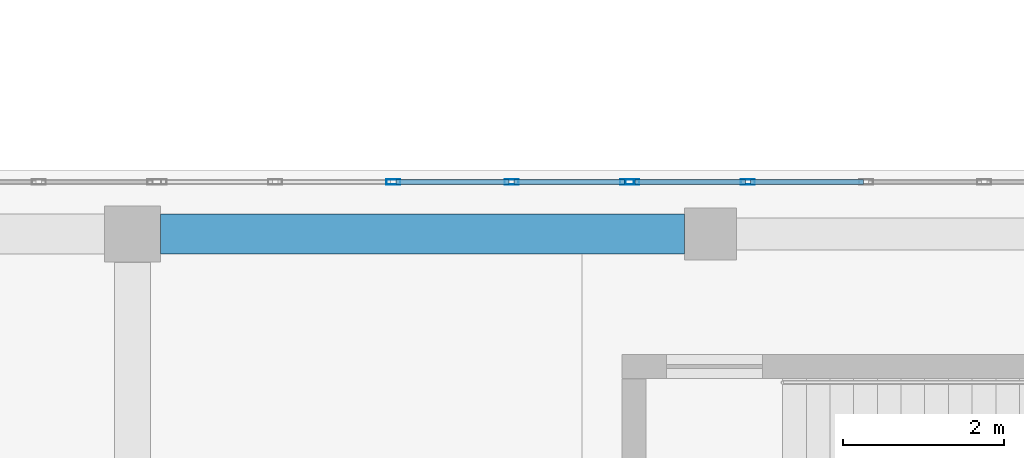
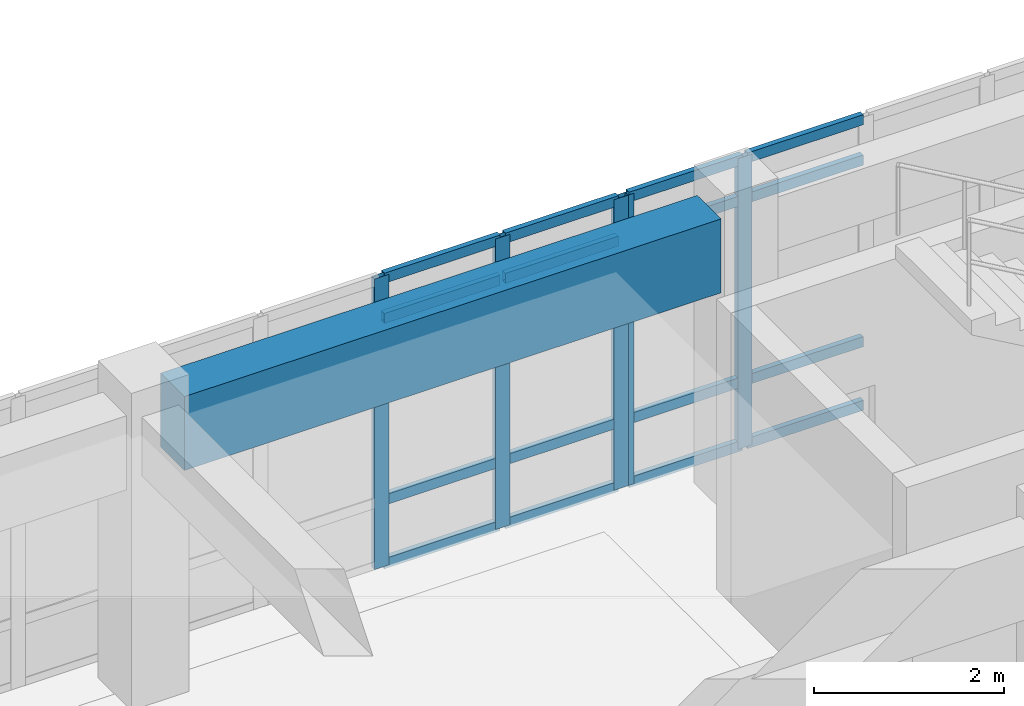
# One storey, part 24 of 146: 21 members, 1 beam, 2 elements without a shape of their own.
"""IFC4 building model written with IfcOpenShell, lengths in metres."""

from ifc_helpers import new_model, si_unit, direction, frame, origin, origin_2d, place, context, subcontext, project, spatial, rectangle, hollow_rectangle, extrude, material, layer, layer_set, material_profile, profile_set, type_object, element, aggregate, save


model = new_model("IFC4")

# Units and contexts
model_context = context("Model", 3, precision=1e-05, world=origin(), true_north=direction((0.0, 1.0)))
body_context = subcontext(model_context, "Body", "Model", "MODEL_VIEW")
ifc_project = project(units=[si_unit("LENGTHUNIT", "METRE"), si_unit("AREAUNIT", "SQUARE_METRE"), si_unit("VOLUMEUNIT", "CUBIC_METRE"), si_unit("PLANEANGLEUNIT", "RADIAN"), si_unit("MASSUNIT", "GRAM", prefix="KILO")], contexts=[model_context])

# Site, building, storey
site_placement = place(None, origin())
site = spatial("IfcSite", under=ifc_project, at=site_placement, CompositionType="ELEMENT")
building_placement = place(site_placement, origin())
building = spatial("IfcBuilding", under=site, at=building_placement, Name="Valcora Specialist Clinic", CompositionType="ELEMENT")
storey_placement = place(building_placement, frame((0.0, 0.0, 9.52001953125)))
storey = spatial("IfcBuildingStorey", under=building, at=storey_placement, Name="L02", CompositionType="ELEMENT", Elevation=9.52001953125)

# Beam
ifc_material_1 = material(Name="Concrete C40/50", Category="concrete")
ifc_material_profile_1 = material_profile(ifc_material_1, rectangle(XDim=0.5, YDim=0.949951171875, at=origin_2d()), Name="RC-BM-500X950")
ifc_profile_set_1 = profile_set([ifc_material_profile_1], Name="Concrete C40/50")
beam_type = type_object("IfcBeamType", Name="TY-BM-TR500X950", PredefinedType="BEAM", material=ifc_profile_set_1)
beam_placement = place(storey_placement, frame((23.75, 22.0, 3.260009765625), z_axis=(1.0, 0.0, 0.0), x_axis=(0.0, 1.0, 0.0)))
element("IfcBeam", 1, at=beam_placement, inside=storey, type_object=beam_type, Name="Beam BM-L02-1005", PredefinedType="BEAM", context=body_context, shape_type="SweptSolid", body=[
    extrude(rectangle(XDim=0.5, YDim=0.949951171875, at=origin_2d()), origin(), (0.0, 0.0, 1.0), 6.52490234375),
])

# Curtain wall, members
ifc_material_2 = material(Name="Anodized Bronze Aluminium 6063-T6", Category="aluminium")
ifc_layer = layer(ifc_material_2, 0.175048828125)
ifc_layer_set = layer_set([ifc_layer], Name="Anodized Bronze Aluminium 6063-T6")
curtain_wall_type = type_object("IfcCurtainWallType", Name="TY-CW-V5F15", PredefinedType="NOTDEFINED", material=ifc_layer_set)
curtain_wall_1_placement = place(storey_placement, origin())
curtain_wall_1 = element("IfcCurtainWall", 2, at=curtain_wall_1_placement, inside=storey, type_object=curtain_wall_type, Name="Curtain wall CW-L02-147", PredefinedType="NOTDEFINED")
ifc_material_profile_2 = material_profile(ifc_material_2, hollow_rectangle(XDim=0.06494140625, YDim=0.175048828125, WallThickness=0.00390625, at=origin_2d()), Name="AL-MUL-65X175")
ifc_profile_set_2 = profile_set([ifc_material_profile_2], Name="Anodized Bronze Aluminium 6063-T6")
member_type_1 = type_object("IfcMemberType", Name="TY-CWM-65X175", PredefinedType="MULLION", material=ifc_profile_set_2)
member_1_placement = place(storey_placement, frame((26.64990234375, 22.64990234375, 0.0), z_axis=(0.0, 0.0, 1.0), x_axis=(0.0, 1.0, 0.0)))
member_1 = element("IfcMember", 3, at=member_1_placement, type_object=member_type_1, Name="CW-V5F-15 mullion 3", PredefinedType="MULLION", context=body_context, shape_type="SweptSolid", body=[
    extrude(hollow_rectangle(XDim=0.06494140625, YDim=0.175048828125, WallThickness=0.00390625, at=origin_2d()), origin(), (0.0, 0.0, 1.0), 3.73486328125),
])
member_2_placement = place(storey_placement, frame((28.122314453125, 22.64990234375, 0.0), z_axis=(0.0, 0.0, 1.0), x_axis=(0.0, 1.0, 0.0)))
member_2 = element("IfcMember", 4, at=member_2_placement, type_object=member_type_1, Name="CW-V5F-15 mullion 4", PredefinedType="MULLION", context=body_context, shape_type="SweptSolid", body=[
    extrude(hollow_rectangle(XDim=0.06494140625, YDim=0.175048828125, WallThickness=0.00390625, at=origin_2d()), origin(), (0.0, 0.0, 1.0), 3.73486328125),
])
member_3_placement = place(storey_placement, frame((29.56201171875, 22.64990234375, 0.0), z_axis=(0.0, 0.0, 1.0), x_axis=(0.0, 1.0, 0.0)))
member_3 = element("IfcMember", 5, at=member_3_placement, type_object=member_type_1, Name="CW-V5F-15 mullion 5", PredefinedType="MULLION", context=body_context, shape_type="SweptSolid", body=[
    extrude(hollow_rectangle(XDim=0.06494140625, YDim=0.175048828125, WallThickness=0.00390625, at=origin_2d()), origin(), (0.0, 0.0, 1.0), 3.73486328125),
])

curtain_wall_2_placement = place(storey_placement, origin())
curtain_wall_2 = element("IfcCurtainWall", 6, at=curtain_wall_2_placement, inside=storey, type_object=curtain_wall_type, Name="Curtain wall CW-L02-148", PredefinedType="NOTDEFINED")
member_4_placement = place(storey_placement, frame((29.626953125, 22.64990234375, 0.0), z_axis=(0.0, 0.0, 1.0), x_axis=(0.0, 1.0, 0.0)))
member_4 = element("IfcMember", 7, at=member_4_placement, type_object=member_type_1, Name="CW-V5F-15 mullion 1", PredefinedType="MULLION", context=body_context, shape_type="SweptSolid", body=[
    extrude(hollow_rectangle(XDim=0.06494140625, YDim=0.175048828125, WallThickness=0.00390625, at=origin_2d()), origin(), (0.0, 0.0, 1.0), 3.73486328125),
])
member_5_placement = place(storey_placement, frame((31.066650390625, 22.64990234375, 0.0), z_axis=(0.0, 0.0, 1.0), x_axis=(0.0, 1.0, 0.0)))
member_5 = element("IfcMember", 8, at=member_5_placement, type_object=member_type_1, Name="CW-V5F-15 mullion 2", PredefinedType="MULLION", context=body_context, shape_type="SweptSolid", body=[
    extrude(hollow_rectangle(XDim=0.06494140625, YDim=0.175048828125, WallThickness=0.00390625, at=origin_2d()), origin(), (0.0, 0.0, 1.0), 3.73486328125),
])

# Member
ifc_material_profile_3 = material_profile(ifc_material_2, hollow_rectangle(XDim=0.06494140625, YDim=0.1298828125, WallThickness=0.00390625, at=origin_2d()), Name="AL-TRN-65X130")
ifc_profile_set_3 = profile_set([ifc_material_profile_3], Name="Anodized Bronze Aluminium 6063-T6")
member_type_2 = type_object("IfcMemberType", Name="TY-CWT-65X130", PredefinedType="USERDEFINED", material=ifc_profile_set_3)
member_6_placement = place(storey_placement, frame((26.6826171875, 22.64990234375, 0.032470703125), z_axis=(1.0, 0.0, 0.0), x_axis=(0.0, 1.0, 0.0)))
member_6 = element("IfcMember", 9, at=member_6_placement, type_object=member_type_2, Name="CW-V5F-15 transom 3.1", ObjectType="TRANSOM", PredefinedType="USERDEFINED", context=body_context, shape_type="SweptSolid", body=[
    extrude(hollow_rectangle(XDim=0.06494140625, YDim=0.1298828125, WallThickness=0.00390625, at=origin_2d()), origin(), (0.0, 0.0, 1.0), 1.406982421875),
])

member_7_placement = place(storey_placement, frame((26.6826171875, 22.64990234375, 0.85009765625), z_axis=(1.0, 0.0, 0.0), x_axis=(0.0, 1.0, 0.0)))
member_7 = element("IfcMember", 10, at=member_7_placement, type_object=member_type_2, Name="CW-V5F-15 transom 3.2", ObjectType="TRANSOM", PredefinedType="USERDEFINED", context=body_context, shape_type="SweptSolid", body=[
    extrude(hollow_rectangle(XDim=0.06494140625, YDim=0.1298828125, WallThickness=0.00390625, at=origin_2d()), origin(), (0.0, 0.0, 1.0), 1.406982421875),
])

member_8_placement = place(storey_placement, frame((26.6826171875, 22.64990234375, 3.18505859375), z_axis=(1.0, 0.0, 0.0), x_axis=(0.0, 1.0, 0.0)))
member_8 = element("IfcMember", 11, at=member_8_placement, type_object=member_type_2, Name="CW-V5F-15 transom 3.3", ObjectType="TRANSOM", PredefinedType="USERDEFINED", context=body_context, shape_type="SweptSolid", body=[
    extrude(hollow_rectangle(XDim=0.06494140625, YDim=0.1298828125, WallThickness=0.00390625, at=origin_2d()), origin(), (0.0, 0.0, 1.0), 1.406982421875),
])

member_9_placement = place(storey_placement, frame((26.6826171875, 22.64990234375, 3.702392578125), z_axis=(1.0, 0.0, 0.0), x_axis=(0.0, 1.0, 0.0)))
member_9 = element("IfcMember", 12, at=member_9_placement, type_object=member_type_2, Name="CW-V5F-15 transom 3.4", ObjectType="TRANSOM", PredefinedType="USERDEFINED", context=body_context, shape_type="SweptSolid", body=[
    extrude(hollow_rectangle(XDim=0.06494140625, YDim=0.1298828125, WallThickness=0.00390625, at=origin_2d()), origin(), (0.0, 0.0, 1.0), 1.406982421875),
])

member_10_placement = place(storey_placement, frame((28.15478515625, 22.64990234375, 0.032470703125), z_axis=(1.0, 0.0, 0.0), x_axis=(0.0, 1.0, 0.0)))
member_10 = element("IfcMember", 13, at=member_10_placement, type_object=member_type_2, Name="CW-V5F-15 transom 4.1", ObjectType="TRANSOM", PredefinedType="USERDEFINED", context=body_context, shape_type="SweptSolid", body=[
    extrude(hollow_rectangle(XDim=0.06494140625, YDim=0.1298828125, WallThickness=0.00390625, at=origin_2d()), origin(), (0.0, 0.0, 1.0), 1.37451171875),
])

member_11_placement = place(storey_placement, frame((28.15478515625, 22.64990234375, 0.85009765625), z_axis=(1.0, 0.0, 0.0), x_axis=(0.0, 1.0, 0.0)))
member_11 = element("IfcMember", 14, at=member_11_placement, type_object=member_type_2, Name="CW-V5F-15 transom 4.2", ObjectType="TRANSOM", PredefinedType="USERDEFINED", context=body_context, shape_type="SweptSolid", body=[
    extrude(hollow_rectangle(XDim=0.06494140625, YDim=0.1298828125, WallThickness=0.00390625, at=origin_2d()), origin(), (0.0, 0.0, 1.0), 1.37451171875),
])

member_12_placement = place(storey_placement, frame((28.15478515625, 22.64990234375, 3.18505859375), z_axis=(1.0, 0.0, 0.0), x_axis=(0.0, 1.0, 0.0)))
member_12 = element("IfcMember", 15, at=member_12_placement, type_object=member_type_2, Name="CW-V5F-15 transom 4.3", ObjectType="TRANSOM", PredefinedType="USERDEFINED", context=body_context, shape_type="SweptSolid", body=[
    extrude(hollow_rectangle(XDim=0.06494140625, YDim=0.1298828125, WallThickness=0.00390625, at=origin_2d()), origin(), (0.0, 0.0, 1.0), 1.37451171875),
])

member_13_placement = place(storey_placement, frame((28.15478515625, 22.64990234375, 3.702392578125), z_axis=(1.0, 0.0, 0.0), x_axis=(0.0, 1.0, 0.0)))
member_13 = element("IfcMember", 16, at=member_13_placement, type_object=member_type_2, Name="CW-V5F-15 transom 4.4", ObjectType="TRANSOM", PredefinedType="USERDEFINED", context=body_context, shape_type="SweptSolid", body=[
    extrude(hollow_rectangle(XDim=0.06494140625, YDim=0.1298828125, WallThickness=0.00390625, at=origin_2d()), origin(), (0.0, 0.0, 1.0), 1.37451171875),
])

aggregate(curtain_wall_1, [member_1, member_2, member_3, member_6, member_7, member_8, member_9, member_10, member_11, member_12, member_13])

member_14_placement = place(storey_placement, frame((29.659423828125, 22.64990234375, 0.032470703125), z_axis=(1.0, 0.0, 0.0), x_axis=(0.0, 1.0, 0.0)))
member_14 = element("IfcMember", 17, at=member_14_placement, type_object=member_type_2, Name="CW-V5F-15 transom 1.1", ObjectType="TRANSOM", PredefinedType="USERDEFINED", context=body_context, shape_type="SweptSolid", body=[
    extrude(hollow_rectangle(XDim=0.06494140625, YDim=0.1298828125, WallThickness=0.00390625, at=origin_2d()), origin(), (0.0, 0.0, 1.0), 1.374755859375),
])

member_15_placement = place(storey_placement, frame((29.659423828125, 22.64990234375, 0.85009765625), z_axis=(1.0, 0.0, 0.0), x_axis=(0.0, 1.0, 0.0)))
member_15 = element("IfcMember", 18, at=member_15_placement, type_object=member_type_2, Name="CW-V5F-15 transom 1.2", ObjectType="TRANSOM", PredefinedType="USERDEFINED", context=body_context, shape_type="SweptSolid", body=[
    extrude(hollow_rectangle(XDim=0.06494140625, YDim=0.1298828125, WallThickness=0.00390625, at=origin_2d()), origin(), (0.0, 0.0, 1.0), 1.374755859375),
])

member_16_placement = place(storey_placement, frame((29.659423828125, 22.64990234375, 3.18505859375), z_axis=(1.0, 0.0, 0.0), x_axis=(0.0, 1.0, 0.0)))
member_16 = element("IfcMember", 19, at=member_16_placement, type_object=member_type_2, Name="CW-V5F-15 transom 1.3", ObjectType="TRANSOM", PredefinedType="USERDEFINED", context=body_context, shape_type="SweptSolid", body=[
    extrude(hollow_rectangle(XDim=0.06494140625, YDim=0.1298828125, WallThickness=0.00390625, at=origin_2d()), origin(), (0.0, 0.0, 1.0), 1.374755859375),
])

member_17_placement = place(storey_placement, frame((29.659423828125, 22.64990234375, 3.702392578125), z_axis=(1.0, 0.0, 0.0), x_axis=(0.0, 1.0, 0.0)))
member_17 = element("IfcMember", 20, at=member_17_placement, type_object=member_type_2, Name="CW-V5F-15 transom 1.4", ObjectType="TRANSOM", PredefinedType="USERDEFINED", context=body_context, shape_type="SweptSolid", body=[
    extrude(hollow_rectangle(XDim=0.06494140625, YDim=0.1298828125, WallThickness=0.00390625, at=origin_2d()), origin(), (0.0, 0.0, 1.0), 1.374755859375),
])

member_18_placement = place(storey_placement, frame((31.09912109375, 22.64990234375, 0.032470703125), z_axis=(1.0, 0.0, 0.0), x_axis=(0.0, 1.0, 0.0)))
member_18 = element("IfcMember", 21, at=member_18_placement, type_object=member_type_2, Name="CW-V5F-15 transom 2.1", ObjectType="TRANSOM", PredefinedType="USERDEFINED", context=body_context, shape_type="SweptSolid", body=[
    extrude(hollow_rectangle(XDim=0.06494140625, YDim=0.1298828125, WallThickness=0.00390625, at=origin_2d()), origin(), (0.0, 0.0, 1.0), 1.4072265625),
])

member_19_placement = place(storey_placement, frame((31.09912109375, 22.64990234375, 0.85009765625), z_axis=(1.0, 0.0, 0.0), x_axis=(0.0, 1.0, 0.0)))
member_19 = element("IfcMember", 22, at=member_19_placement, type_object=member_type_2, Name="CW-V5F-15 transom 2.2", ObjectType="TRANSOM", PredefinedType="USERDEFINED", context=body_context, shape_type="SweptSolid", body=[
    extrude(hollow_rectangle(XDim=0.06494140625, YDim=0.1298828125, WallThickness=0.00390625, at=origin_2d()), origin(), (0.0, 0.0, 1.0), 1.4072265625),
])

member_20_placement = place(storey_placement, frame((31.09912109375, 22.64990234375, 3.18505859375), z_axis=(1.0, 0.0, 0.0), x_axis=(0.0, 1.0, 0.0)))
member_20 = element("IfcMember", 23, at=member_20_placement, type_object=member_type_2, Name="CW-V5F-15 transom 2.3", ObjectType="TRANSOM", PredefinedType="USERDEFINED", context=body_context, shape_type="SweptSolid", body=[
    extrude(hollow_rectangle(XDim=0.06494140625, YDim=0.1298828125, WallThickness=0.00390625, at=origin_2d()), origin(), (0.0, 0.0, 1.0), 1.4072265625),
])

member_21_placement = place(storey_placement, frame((31.09912109375, 22.64990234375, 3.702392578125), z_axis=(1.0, 0.0, 0.0), x_axis=(0.0, 1.0, 0.0)))
member_21 = element("IfcMember", 24, at=member_21_placement, type_object=member_type_2, Name="CW-V5F-15 transom 2.4", ObjectType="TRANSOM", PredefinedType="USERDEFINED", context=body_context, shape_type="SweptSolid", body=[
    extrude(hollow_rectangle(XDim=0.06494140625, YDim=0.1298828125, WallThickness=0.00390625, at=origin_2d()), origin(), (0.0, 0.0, 1.0), 1.4072265625),
])

aggregate(curtain_wall_2, [member_4, member_5, member_14, member_15, member_16, member_17, member_18, member_19, member_20, member_21])

save(model, "model.ifc")
